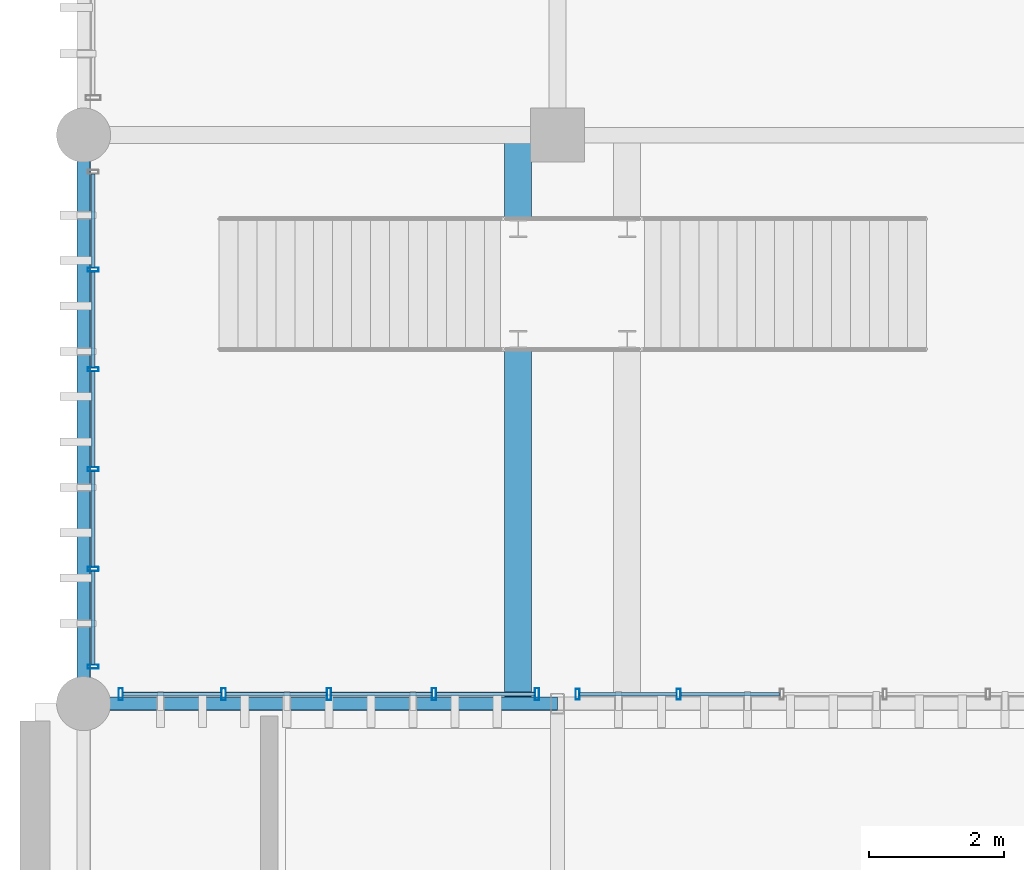
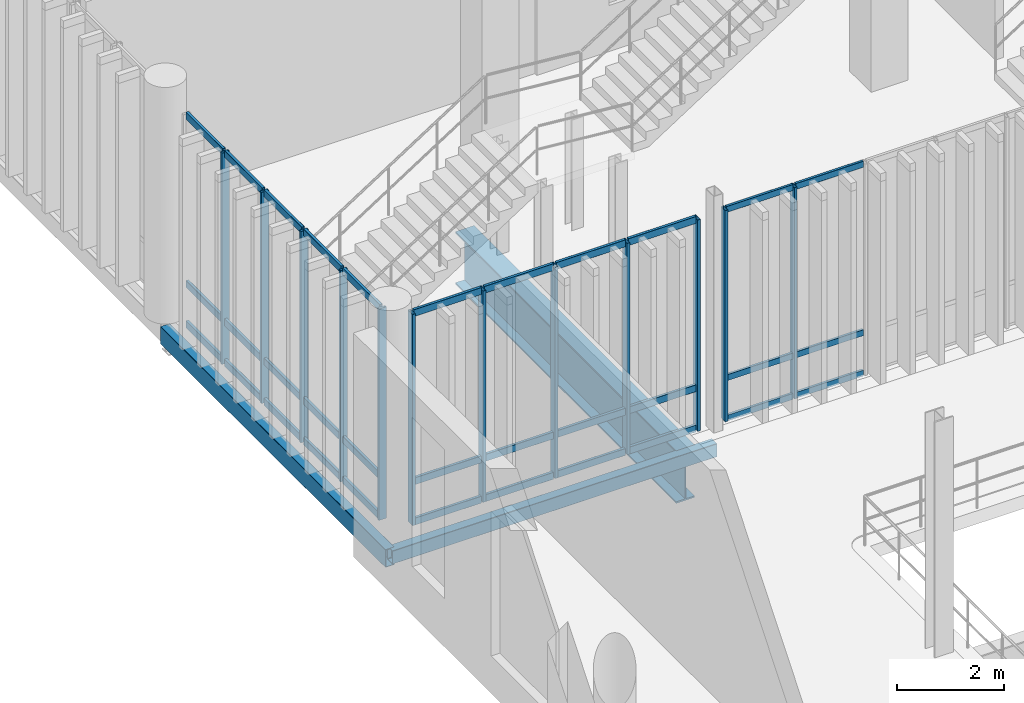
# One storey, part 15 of 128: 45 members, 3 beams, 3 elements without a shape of their own.
"""IFC4 building model written with IfcOpenShell, lengths in metres."""

from ifc_helpers import new_model, si_unit, direction, frame, origin_with_axes, origin_2d_with_axis, place, context, subcontext, project, spatial, hollow_rectangle, i_section, extrude, material, material_profile, profile_set, type_object, element, aggregate, save


model = new_model("IFC4")

# Units and contexts
model_context = context("Model", 3, precision=1e-05, world=origin_with_axes(), true_north=direction((0.0, 1.0)))
body_context = subcontext(model_context, "Body", "Model", "MODEL_VIEW")
ifc_project = project(units=[si_unit("LENGTHUNIT", "METRE"), si_unit("AREAUNIT", "SQUARE_METRE"), si_unit("VOLUMEUNIT", "CUBIC_METRE"), si_unit("PLANEANGLEUNIT", "RADIAN"), si_unit("MASSUNIT", "GRAM", prefix="KILO"), si_unit("THERMODYNAMICTEMPERATUREUNIT", "KELVIN")], contexts=[model_context])

# Site, building, storey
site_placement = place(None, origin_with_axes())
site = spatial("IfcSite", under=ifc_project, at=site_placement, CompositionType="ELEMENT")
building_placement = place(site_placement, origin_with_axes())
building = spatial("IfcBuilding", under=site, at=building_placement, Name="Montbau Bow Law Courts", CompositionType="ELEMENT")
storey_placement = place(building_placement, frame((0.0, 0.0, 5.4), z_axis=(0.0, 0.0, 1.0), x_axis=(1.0, 0.0, 0.0)))
storey = spatial("IfcBuildingStorey", under=building, at=storey_placement, Name="L01", CompositionType="ELEMENT", Elevation=5.4)

# Beams
ifc_material_1 = material(Name="Steel CSA G40.21 Grade 350WT (350 MPa)", Category="steel")
ifc_material_profile_1 = material_profile(ifc_material_1, hollow_rectangle(XDim=0.203, YDim=0.406, WallThickness=0.0127, InnerFilletRadius=0.0254, OuterFilletRadius=0.0127, at=origin_2d_with_axis()), Name="HSS406X203X13", Category="Main", Priority=0)
ifc_profile_set_1 = profile_set([ifc_material_profile_1], Name="Steel CSA G40.21 Grade 350WT (350 MPa)")
beam_type_1 = type_object("IfcBeamType", Name="B-SPN-01", PredefinedType="SPANDREL", material=ifc_profile_set_1)
beam_1_placement = place(None, frame((6.8, 30.6, 4.897), z_axis=(0.0, 1.0, 0.0), x_axis=(-1.0, 0.0, 0.0)))
element("IfcBeam", 1, at=beam_1_placement, inside=storey, type_object=beam_type_1, Name="SPN-L01-S0534:bm2_0537", PredefinedType="SPANDREL", context=body_context, shape_type="SweptSolid", body=[
    extrude(hollow_rectangle(XDim=0.203, YDim=0.406, WallThickness=0.0127, InnerFilletRadius=0.0254, OuterFilletRadius=0.0127, at=origin_2d_with_axis()), origin_with_axes(), (0.0, 0.0, 1.0), 8.4),
])
ifc_material_profile_2 = material_profile(ifc_material_1, hollow_rectangle(XDim=0.203, YDim=0.305, WallThickness=0.0127, InnerFilletRadius=0.0254, OuterFilletRadius=0.0127, at=origin_2d_with_axis()), Name="HSS305X203X13", Category="Main", Priority=0)
ifc_profile_set_2 = profile_set([ifc_material_profile_2], Name="Steel CSA G40.21 Grade 350WT (350 MPa)")
beam_type_2 = type_object("IfcBeamType", Name="B-SPN-02", PredefinedType="SPANDREL", material=ifc_profile_set_2)
beam_2_placement = place(None, frame((6.8, 30.6, 4.947), z_axis=(1.0, 0.0, 0.0), x_axis=(0.0, 1.0, 0.0)))
element("IfcBeam", 2, at=beam_2_placement, inside=storey, type_object=beam_type_2, Name="SPN-L01-S0500:bm2_0503", PredefinedType="SPANDREL", context=body_context, shape_type="SweptSolid", body=[
    extrude(hollow_rectangle(XDim=0.203, YDim=0.305, WallThickness=0.0127, InnerFilletRadius=0.0254, OuterFilletRadius=0.0127, at=origin_2d_with_axis()), origin_with_axes(), (0.0, 0.0, 1.0), 7.0),
])
ifc_material_2 = material(Name="Steel CSA G40.21 Grade 350W (350 MPa)", Category="steel")
ifc_material_profile_3 = material_profile(ifc_material_2, i_section(OverallWidth=0.4, OverallDepth=1.2, WebThickness=0.016, FlangeThickness=0.035, at=origin_2d_with_axis()), Name="WWF1200X302", Category="Main", Priority=0)
ifc_profile_set_3 = profile_set([ifc_material_profile_3], Name="Steel CSA G40.21 Grade 350W (350 MPa)")
beam_type_3 = type_object("IfcBeamType", Name="B-TRG-05", PredefinedType="USERDEFINED", material=ifc_profile_set_3)
beam_3_placement = place(None, frame((13.22, 30.675, 4.5), z_axis=(0.0, 1.0, 0.0), x_axis=(-1.0, 0.0, 0.0)))
element("IfcBeam", 3, at=beam_3_placement, inside=storey, type_object=beam_type_3, Name="TRG-L01-S1810:bm2_1813", ObjectType="GIRDER", PredefinedType="USERDEFINED", context=body_context, shape_type="SweptSolid", body=[
    extrude(i_section(OverallWidth=0.4, OverallDepth=1.2, WebThickness=0.016, FlangeThickness=0.035, at=origin_2d_with_axis()), origin_with_axes(), (0.0, 0.0, 1.0), 8.25),
])

# Curtain wall, members
ifc_material_3 = material(Name="Thermally Broken Extruded Aluminium AA 6063-T6", Category="aluminium")
curtain_wall_type = type_object("IfcCurtainWallType", Name="CW-TRC-01", PredefinedType="NOTDEFINED", material=ifc_material_3)
curtain_wall_1_placement = place(None, frame((7.315, 30.74, 5.4), z_axis=(0.0, 0.0, 1.0), x_axis=(1.0, 0.0, 0.0)))
curtain_wall_1 = element("IfcCurtainWall", 4, at=curtain_wall_1_placement, inside=storey, type_object=curtain_wall_type, Name="CW-L01-016:cw_0016", PredefinedType="NOTDEFINED")
ifc_material_profile_4 = material_profile(ifc_material_3, hollow_rectangle(XDim=0.065, YDim=0.18, WallThickness=0.005, InnerFilletRadius=0.01, OuterFilletRadius=0.005, at=origin_2d_with_axis()), Name="CWM-180X65", Category="Main", Priority=0)
ifc_profile_set_4 = profile_set([ifc_material_profile_4], Name="Thermally Broken Extruded Aluminium AA 6063-T6")
member_type_1 = type_object("IfcMemberType", Name="M-MUL-02", PredefinedType="MULLION", material=ifc_profile_set_4)
member_1_placement = place(None, frame((7.348, 30.74, 5.4), z_axis=(0.0, 0.0, 1.0), x_axis=(1.0, 0.0, 0.0)))
member_1 = element("IfcMember", 5, at=member_1_placement, type_object=member_type_1, Name="CW-L01-016-M01:cw_0016_M01", PredefinedType="MULLION", context=body_context, shape_type="SweptSolid", body=[
    extrude(hollow_rectangle(XDim=0.065, YDim=0.18, WallThickness=0.005, InnerFilletRadius=0.01, OuterFilletRadius=0.005, at=origin_2d_with_axis()), origin_with_axes(), (0.0, 0.0, 1.0), 4.82),
])
member_2_placement = place(None, frame((8.869, 30.74, 5.4), z_axis=(0.0, 0.0, 1.0), x_axis=(1.0, 0.0, 0.0)))
member_2 = element("IfcMember", 6, at=member_2_placement, type_object=member_type_1, Name="CW-L01-016-M02:cw_0016_M02", PredefinedType="MULLION", context=body_context, shape_type="SweptSolid", body=[
    extrude(hollow_rectangle(XDim=0.065, YDim=0.18, WallThickness=0.005, InnerFilletRadius=0.01, OuterFilletRadius=0.005, at=origin_2d_with_axis()), origin_with_axes(), (0.0, 0.0, 1.0), 4.82),
])
member_3_placement = place(None, frame((10.424, 30.74, 5.4), z_axis=(0.0, 0.0, 1.0), x_axis=(1.0, 0.0, 0.0)))
member_3 = element("IfcMember", 7, at=member_3_placement, type_object=member_type_1, Name="CW-L01-016-M03:cw_0016_M03", PredefinedType="MULLION", context=body_context, shape_type="SweptSolid", body=[
    extrude(hollow_rectangle(XDim=0.065, YDim=0.18, WallThickness=0.005, InnerFilletRadius=0.01, OuterFilletRadius=0.005, at=origin_2d_with_axis()), origin_with_axes(), (0.0, 0.0, 1.0), 4.82),
])
member_4_placement = place(None, frame((11.978, 30.74, 5.4), z_axis=(0.0, 0.0, 1.0), x_axis=(1.0, 0.0, 0.0)))
member_4 = element("IfcMember", 8, at=member_4_placement, type_object=member_type_1, Name="CW-L01-016-M04:cw_0016_M04", PredefinedType="MULLION", context=body_context, shape_type="SweptSolid", body=[
    extrude(hollow_rectangle(XDim=0.065, YDim=0.18, WallThickness=0.005, InnerFilletRadius=0.01, OuterFilletRadius=0.005, at=origin_2d_with_axis()), origin_with_axes(), (0.0, 0.0, 1.0), 4.82),
])
member_5_placement = place(None, frame((13.5, 30.74, 5.4), z_axis=(0.0, 0.0, 1.0), x_axis=(1.0, 0.0, 0.0)))
member_5 = element("IfcMember", 9, at=member_5_placement, type_object=member_type_1, Name="CW-L01-016-M05:cw_0016_M05", PredefinedType="MULLION", context=body_context, shape_type="SweptSolid", body=[
    extrude(hollow_rectangle(XDim=0.065, YDim=0.18, WallThickness=0.005, InnerFilletRadius=0.01, OuterFilletRadius=0.005, at=origin_2d_with_axis()), origin_with_axes(), (0.0, 0.0, 1.0), 4.82),
])

curtain_wall_2_placement = place(None, frame((14.068, 30.74, 5.4), z_axis=(0.0, 0.0, 1.0), x_axis=(1.0, 0.0, 0.0)))
curtain_wall_2 = element("IfcCurtainWall", 10, at=curtain_wall_2_placement, inside=storey, type_object=curtain_wall_type, Name="CW-L01-017:cw_0017", PredefinedType="NOTDEFINED")
ifc_material_profile_5 = material_profile(ifc_material_3, hollow_rectangle(XDim=0.06, YDim=0.16, WallThickness=0.004, InnerFilletRadius=0.008, OuterFilletRadius=0.004, at=origin_2d_with_axis()), Name="CWM-160X60", Category="Main", Priority=0)
ifc_profile_set_5 = profile_set([ifc_material_profile_5], Name="Thermally Broken Extruded Aluminium AA 6063-T6")
member_type_2 = type_object("IfcMemberType", Name="M-MUL-03", PredefinedType="MULLION", material=ifc_profile_set_5)
member_6_placement = place(None, frame((14.098, 30.74, 5.4), z_axis=(0.0, 0.0, 1.0), x_axis=(1.0, 0.0, 0.0)))
member_6 = element("IfcMember", 11, at=member_6_placement, type_object=member_type_2, Name="CW-L01-017-M01:cw_0017_M01", PredefinedType="MULLION", context=body_context, shape_type="SweptSolid", body=[
    extrude(hollow_rectangle(XDim=0.06, YDim=0.16, WallThickness=0.004, InnerFilletRadius=0.008, OuterFilletRadius=0.004, at=origin_2d_with_axis()), origin_with_axes(), (0.0, 0.0, 1.0), 4.82),
])
member_7_placement = place(None, frame((15.591, 30.74, 5.4), z_axis=(0.0, 0.0, 1.0), x_axis=(1.0, 0.0, 0.0)))
member_7 = element("IfcMember", 12, at=member_7_placement, type_object=member_type_2, Name="CW-L01-017-M02:cw_0017_M02", PredefinedType="MULLION", context=body_context, shape_type="SweptSolid", body=[
    extrude(hollow_rectangle(XDim=0.06, YDim=0.16, WallThickness=0.004, InnerFilletRadius=0.008, OuterFilletRadius=0.004, at=origin_2d_with_axis()), origin_with_axes(), (0.0, 0.0, 1.0), 4.82),
])

curtain_wall_3_placement = place(None, frame((6.94, 31.115, 5.4), z_axis=(0.0, 0.0, 1.0), x_axis=(1.0, 0.0, 0.0)))
curtain_wall_3 = element("IfcCurtainWall", 13, at=curtain_wall_3_placement, inside=storey, type_object=curtain_wall_type, Name="CW-L01-026:cw_0026", PredefinedType="NOTDEFINED")
member_8_placement = place(None, frame((6.94, 31.145, 5.4), z_axis=(0.0, 0.0, 1.0), x_axis=(0.0, 1.0, 0.0)))
member_8 = element("IfcMember", 14, at=member_8_placement, type_object=member_type_2, Name="CW-L01-026-M01:cw_0026_M01", PredefinedType="MULLION", context=body_context, shape_type="SweptSolid", body=[
    extrude(hollow_rectangle(XDim=0.06, YDim=0.16, WallThickness=0.004, InnerFilletRadius=0.008, OuterFilletRadius=0.004, at=origin_2d_with_axis()), origin_with_axes(), (0.0, 0.0, 1.0), 4.82),
])
member_9_placement = place(None, frame((6.94, 32.589, 5.4), z_axis=(0.0, 0.0, 1.0), x_axis=(0.0, 1.0, 0.0)))
member_9 = element("IfcMember", 15, at=member_9_placement, type_object=member_type_2, Name="CW-L01-026-M02:cw_0026_M02", PredefinedType="MULLION", context=body_context, shape_type="SweptSolid", body=[
    extrude(hollow_rectangle(XDim=0.06, YDim=0.16, WallThickness=0.004, InnerFilletRadius=0.008, OuterFilletRadius=0.004, at=origin_2d_with_axis()), origin_with_axes(), (0.0, 0.0, 1.0), 4.82),
])
member_10_placement = place(None, frame((6.94, 34.063, 5.4), z_axis=(0.0, 0.0, 1.0), x_axis=(0.0, 1.0, 0.0)))
member_10 = element("IfcMember", 16, at=member_10_placement, type_object=member_type_2, Name="CW-L01-026-M03:cw_0026_M03", PredefinedType="MULLION", context=body_context, shape_type="SweptSolid", body=[
    extrude(hollow_rectangle(XDim=0.06, YDim=0.16, WallThickness=0.004, InnerFilletRadius=0.008, OuterFilletRadius=0.004, at=origin_2d_with_axis()), origin_with_axes(), (0.0, 0.0, 1.0), 4.82),
])
member_11_placement = place(None, frame((6.94, 35.537, 5.4), z_axis=(0.0, 0.0, 1.0), x_axis=(0.0, 1.0, 0.0)))
member_11 = element("IfcMember", 17, at=member_11_placement, type_object=member_type_2, Name="CW-L01-026-M04:cw_0026_M04", PredefinedType="MULLION", context=body_context, shape_type="SweptSolid", body=[
    extrude(hollow_rectangle(XDim=0.06, YDim=0.16, WallThickness=0.004, InnerFilletRadius=0.008, OuterFilletRadius=0.004, at=origin_2d_with_axis()), origin_with_axes(), (0.0, 0.0, 1.0), 4.82),
])
member_12_placement = place(None, frame((6.94, 37.011, 5.4), z_axis=(0.0, 0.0, 1.0), x_axis=(0.0, 1.0, 0.0)))
member_12 = element("IfcMember", 18, at=member_12_placement, type_object=member_type_2, Name="CW-L01-026-M05:cw_0026_M05", PredefinedType="MULLION", context=body_context, shape_type="SweptSolid", body=[
    extrude(hollow_rectangle(XDim=0.06, YDim=0.16, WallThickness=0.004, InnerFilletRadius=0.008, OuterFilletRadius=0.004, at=origin_2d_with_axis()), origin_with_axes(), (0.0, 0.0, 1.0), 4.82),
])

# Member
ifc_material_profile_6 = material_profile(ifc_material_3, hollow_rectangle(XDim=0.06, YDim=0.16, WallThickness=0.004, InnerFilletRadius=0.008, OuterFilletRadius=0.004, at=origin_2d_with_axis()), Name="CWT-160X60", Category="Main", Priority=0)
ifc_profile_set_6 = profile_set([ifc_material_profile_6], Name="Thermally Broken Extruded Aluminium AA 6063-T6")
member_type_3 = type_object("IfcMemberType", Name="M-TRN-01", PredefinedType="USERDEFINED", material=ifc_profile_set_6)
member_13_placement = place(None, frame((7.383, 30.74, 5.43), z_axis=(1.0, 0.0, 0.0), x_axis=(0.0, 1.0, 0.0)))
member_13 = element("IfcMember", 19, at=member_13_placement, type_object=member_type_3, Name="CW-L01-016-T01-1:cw_0016_T01_1", ObjectType="TRANSOM", PredefinedType="USERDEFINED", context=body_context, shape_type="SweptSolid", body=[
    extrude(hollow_rectangle(XDim=0.06, YDim=0.16, WallThickness=0.004, InnerFilletRadius=0.008, OuterFilletRadius=0.004, at=origin_2d_with_axis()), origin_with_axes(), (0.0, 0.0, 1.0), 1.452),
])

member_14_placement = place(None, frame((7.383, 30.74, 6.35), z_axis=(1.0, 0.0, 0.0), x_axis=(0.0, 1.0, 0.0)))
member_14 = element("IfcMember", 20, at=member_14_placement, type_object=member_type_3, Name="CW-L01-016-T01-2:cw_0016_T01_2", ObjectType="TRANSOM", PredefinedType="USERDEFINED", context=body_context, shape_type="SweptSolid", body=[
    extrude(hollow_rectangle(XDim=0.06, YDim=0.16, WallThickness=0.004, InnerFilletRadius=0.008, OuterFilletRadius=0.004, at=origin_2d_with_axis()), origin_with_axes(), (0.0, 0.0, 1.0), 1.452),
])

member_15_placement = place(None, frame((7.383, 30.74, 10.19), z_axis=(1.0, 0.0, 0.0), x_axis=(0.0, 1.0, 0.0)))
member_15 = element("IfcMember", 21, at=member_15_placement, type_object=member_type_3, Name="CW-L01-016-T01-3:cw_0016_T01_3", ObjectType="TRANSOM", PredefinedType="USERDEFINED", context=body_context, shape_type="SweptSolid", body=[
    extrude(hollow_rectangle(XDim=0.06, YDim=0.16, WallThickness=0.004, InnerFilletRadius=0.008, OuterFilletRadius=0.004, at=origin_2d_with_axis()), origin_with_axes(), (0.0, 0.0, 1.0), 1.452),
])

member_16_placement = place(None, frame((8.904, 30.74, 5.43), z_axis=(1.0, 0.0, 0.0), x_axis=(0.0, 1.0, 0.0)))
member_16 = element("IfcMember", 22, at=member_16_placement, type_object=member_type_3, Name="CW-L01-016-T02-1:cw_0016_T02_1", ObjectType="TRANSOM", PredefinedType="USERDEFINED", context=body_context, shape_type="SweptSolid", body=[
    extrude(hollow_rectangle(XDim=0.06, YDim=0.16, WallThickness=0.004, InnerFilletRadius=0.008, OuterFilletRadius=0.004, at=origin_2d_with_axis()), origin_with_axes(), (0.0, 0.0, 1.0), 1.486),
])

member_17_placement = place(None, frame((8.904, 30.74, 6.35), z_axis=(1.0, 0.0, 0.0), x_axis=(0.0, 1.0, 0.0)))
member_17 = element("IfcMember", 23, at=member_17_placement, type_object=member_type_3, Name="CW-L01-016-T02-2:cw_0016_T02_2", ObjectType="TRANSOM", PredefinedType="USERDEFINED", context=body_context, shape_type="SweptSolid", body=[
    extrude(hollow_rectangle(XDim=0.06, YDim=0.16, WallThickness=0.004, InnerFilletRadius=0.008, OuterFilletRadius=0.004, at=origin_2d_with_axis()), origin_with_axes(), (0.0, 0.0, 1.0), 1.486),
])

member_18_placement = place(None, frame((8.904, 30.74, 10.19), z_axis=(1.0, 0.0, 0.0), x_axis=(0.0, 1.0, 0.0)))
member_18 = element("IfcMember", 24, at=member_18_placement, type_object=member_type_3, Name="CW-L01-016-T02-3:cw_0016_T02_3", ObjectType="TRANSOM", PredefinedType="USERDEFINED", context=body_context, shape_type="SweptSolid", body=[
    extrude(hollow_rectangle(XDim=0.06, YDim=0.16, WallThickness=0.004, InnerFilletRadius=0.008, OuterFilletRadius=0.004, at=origin_2d_with_axis()), origin_with_axes(), (0.0, 0.0, 1.0), 1.486),
])

member_19_placement = place(None, frame((10.458, 30.74, 5.43), z_axis=(1.0, 0.0, 0.0), x_axis=(0.0, 1.0, 0.0)))
member_19 = element("IfcMember", 25, at=member_19_placement, type_object=member_type_3, Name="CW-L01-016-T03-1:cw_0016_T03_1", ObjectType="TRANSOM", PredefinedType="USERDEFINED", context=body_context, shape_type="SweptSolid", body=[
    extrude(hollow_rectangle(XDim=0.06, YDim=0.16, WallThickness=0.004, InnerFilletRadius=0.008, OuterFilletRadius=0.004, at=origin_2d_with_axis()), origin_with_axes(), (0.0, 0.0, 1.0), 1.486),
])

member_20_placement = place(None, frame((10.458, 30.74, 6.35), z_axis=(1.0, 0.0, 0.0), x_axis=(0.0, 1.0, 0.0)))
member_20 = element("IfcMember", 26, at=member_20_placement, type_object=member_type_3, Name="CW-L01-016-T03-2:cw_0016_T03_2", ObjectType="TRANSOM", PredefinedType="USERDEFINED", context=body_context, shape_type="SweptSolid", body=[
    extrude(hollow_rectangle(XDim=0.06, YDim=0.16, WallThickness=0.004, InnerFilletRadius=0.008, OuterFilletRadius=0.004, at=origin_2d_with_axis()), origin_with_axes(), (0.0, 0.0, 1.0), 1.486),
])

member_21_placement = place(None, frame((10.458, 30.74, 10.19), z_axis=(1.0, 0.0, 0.0), x_axis=(0.0, 1.0, 0.0)))
member_21 = element("IfcMember", 27, at=member_21_placement, type_object=member_type_3, Name="CW-L01-016-T03-3:cw_0016_T03_3", ObjectType="TRANSOM", PredefinedType="USERDEFINED", context=body_context, shape_type="SweptSolid", body=[
    extrude(hollow_rectangle(XDim=0.06, YDim=0.16, WallThickness=0.004, InnerFilletRadius=0.008, OuterFilletRadius=0.004, at=origin_2d_with_axis()), origin_with_axes(), (0.0, 0.0, 1.0), 1.486),
])

member_22_placement = place(None, frame((12.012, 30.74, 5.43), z_axis=(1.0, 0.0, 0.0), x_axis=(0.0, 1.0, 0.0)))
member_22 = element("IfcMember", 28, at=member_22_placement, type_object=member_type_3, Name="CW-L01-016-T04-1:cw_0016_T04_1", ObjectType="TRANSOM", PredefinedType="USERDEFINED", context=body_context, shape_type="SweptSolid", body=[
    extrude(hollow_rectangle(XDim=0.06, YDim=0.16, WallThickness=0.004, InnerFilletRadius=0.008, OuterFilletRadius=0.004, at=origin_2d_with_axis()), origin_with_axes(), (0.0, 0.0, 1.0), 1.454),
])

member_23_placement = place(None, frame((12.012, 30.74, 6.35), z_axis=(1.0, 0.0, 0.0), x_axis=(0.0, 1.0, 0.0)))
member_23 = element("IfcMember", 29, at=member_23_placement, type_object=member_type_3, Name="CW-L01-016-T04-2:cw_0016_T04_2", ObjectType="TRANSOM", PredefinedType="USERDEFINED", context=body_context, shape_type="SweptSolid", body=[
    extrude(hollow_rectangle(XDim=0.06, YDim=0.16, WallThickness=0.004, InnerFilletRadius=0.008, OuterFilletRadius=0.004, at=origin_2d_with_axis()), origin_with_axes(), (0.0, 0.0, 1.0), 1.454),
])

member_24_placement = place(None, frame((12.012, 30.74, 10.19), z_axis=(1.0, 0.0, 0.0), x_axis=(0.0, 1.0, 0.0)))
member_24 = element("IfcMember", 30, at=member_24_placement, type_object=member_type_3, Name="CW-L01-016-T04-3:cw_0016_T04_3", ObjectType="TRANSOM", PredefinedType="USERDEFINED", context=body_context, shape_type="SweptSolid", body=[
    extrude(hollow_rectangle(XDim=0.06, YDim=0.16, WallThickness=0.004, InnerFilletRadius=0.008, OuterFilletRadius=0.004, at=origin_2d_with_axis()), origin_with_axes(), (0.0, 0.0, 1.0), 1.454),
])

aggregate(curtain_wall_1, [member_1, member_2, member_3, member_4, member_5, member_13, member_14, member_15, member_16, member_17, member_18, member_19, member_20, member_21, member_22, member_23, member_24])

member_25_placement = place(None, frame((6.94, 31.177, 5.43), z_axis=(0.0, 1.0, 0.0), x_axis=(-1.0, 0.0, 0.0)))
member_25 = element("IfcMember", 31, at=member_25_placement, type_object=member_type_3, Name="CW-L01-026-T01-1:cw_0026_T01_1", ObjectType="TRANSOM", PredefinedType="USERDEFINED", context=body_context, shape_type="SweptSolid", body=[
    extrude(hollow_rectangle(XDim=0.06, YDim=0.16, WallThickness=0.004, InnerFilletRadius=0.008, OuterFilletRadius=0.004, at=origin_2d_with_axis()), origin_with_axes(), (0.0, 0.0, 1.0), 1.38),
])

member_26_placement = place(None, frame((6.94, 31.177, 6.35), z_axis=(0.0, 1.0, 0.0), x_axis=(-1.0, 0.0, 0.0)))
member_26 = element("IfcMember", 32, at=member_26_placement, type_object=member_type_3, Name="CW-L01-026-T01-2:cw_0026_T01_2", ObjectType="TRANSOM", PredefinedType="USERDEFINED", context=body_context, shape_type="SweptSolid", body=[
    extrude(hollow_rectangle(XDim=0.06, YDim=0.16, WallThickness=0.004, InnerFilletRadius=0.008, OuterFilletRadius=0.004, at=origin_2d_with_axis()), origin_with_axes(), (0.0, 0.0, 1.0), 1.38),
])

member_27_placement = place(None, frame((6.94, 31.177, 10.19), z_axis=(0.0, 1.0, 0.0), x_axis=(-1.0, 0.0, 0.0)))
member_27 = element("IfcMember", 33, at=member_27_placement, type_object=member_type_3, Name="CW-L01-026-T01-3:cw_0026_T01_3", ObjectType="TRANSOM", PredefinedType="USERDEFINED", context=body_context, shape_type="SweptSolid", body=[
    extrude(hollow_rectangle(XDim=0.06, YDim=0.16, WallThickness=0.004, InnerFilletRadius=0.008, OuterFilletRadius=0.004, at=origin_2d_with_axis()), origin_with_axes(), (0.0, 0.0, 1.0), 1.38),
])

member_28_placement = place(None, frame((6.94, 32.621, 5.43), z_axis=(0.0, 1.0, 0.0), x_axis=(-1.0, 0.0, 0.0)))
member_28 = element("IfcMember", 34, at=member_28_placement, type_object=member_type_3, Name="CW-L01-026-T02-1:cw_0026_T02_1", ObjectType="TRANSOM", PredefinedType="USERDEFINED", context=body_context, shape_type="SweptSolid", body=[
    extrude(hollow_rectangle(XDim=0.06, YDim=0.16, WallThickness=0.004, InnerFilletRadius=0.008, OuterFilletRadius=0.004, at=origin_2d_with_axis()), origin_with_axes(), (0.0, 0.0, 1.0), 1.41),
])

member_29_placement = place(None, frame((6.94, 32.621, 6.35), z_axis=(0.0, 1.0, 0.0), x_axis=(-1.0, 0.0, 0.0)))
member_29 = element("IfcMember", 35, at=member_29_placement, type_object=member_type_3, Name="CW-L01-026-T02-2:cw_0026_T02_2", ObjectType="TRANSOM", PredefinedType="USERDEFINED", context=body_context, shape_type="SweptSolid", body=[
    extrude(hollow_rectangle(XDim=0.06, YDim=0.16, WallThickness=0.004, InnerFilletRadius=0.008, OuterFilletRadius=0.004, at=origin_2d_with_axis()), origin_with_axes(), (0.0, 0.0, 1.0), 1.41),
])

member_30_placement = place(None, frame((6.94, 32.621, 10.19), z_axis=(0.0, 1.0, 0.0), x_axis=(-1.0, 0.0, 0.0)))
member_30 = element("IfcMember", 36, at=member_30_placement, type_object=member_type_3, Name="CW-L01-026-T02-3:cw_0026_T02_3", ObjectType="TRANSOM", PredefinedType="USERDEFINED", context=body_context, shape_type="SweptSolid", body=[
    extrude(hollow_rectangle(XDim=0.06, YDim=0.16, WallThickness=0.004, InnerFilletRadius=0.008, OuterFilletRadius=0.004, at=origin_2d_with_axis()), origin_with_axes(), (0.0, 0.0, 1.0), 1.41),
])

member_31_placement = place(None, frame((6.94, 34.095, 5.43), z_axis=(0.0, 1.0, 0.0), x_axis=(-1.0, 0.0, 0.0)))
member_31 = element("IfcMember", 37, at=member_31_placement, type_object=member_type_3, Name="CW-L01-026-T03-1:cw_0026_T03_1", ObjectType="TRANSOM", PredefinedType="USERDEFINED", context=body_context, shape_type="SweptSolid", body=[
    extrude(hollow_rectangle(XDim=0.06, YDim=0.16, WallThickness=0.004, InnerFilletRadius=0.008, OuterFilletRadius=0.004, at=origin_2d_with_axis()), origin_with_axes(), (0.0, 0.0, 1.0), 1.41),
])

member_32_placement = place(None, frame((6.94, 34.095, 6.35), z_axis=(0.0, 1.0, 0.0), x_axis=(-1.0, 0.0, 0.0)))
member_32 = element("IfcMember", 38, at=member_32_placement, type_object=member_type_3, Name="CW-L01-026-T03-2:cw_0026_T03_2", ObjectType="TRANSOM", PredefinedType="USERDEFINED", context=body_context, shape_type="SweptSolid", body=[
    extrude(hollow_rectangle(XDim=0.06, YDim=0.16, WallThickness=0.004, InnerFilletRadius=0.008, OuterFilletRadius=0.004, at=origin_2d_with_axis()), origin_with_axes(), (0.0, 0.0, 1.0), 1.41),
])

member_33_placement = place(None, frame((6.94, 34.095, 10.19), z_axis=(0.0, 1.0, 0.0), x_axis=(-1.0, 0.0, 0.0)))
member_33 = element("IfcMember", 39, at=member_33_placement, type_object=member_type_3, Name="CW-L01-026-T03-3:cw_0026_T03_3", ObjectType="TRANSOM", PredefinedType="USERDEFINED", context=body_context, shape_type="SweptSolid", body=[
    extrude(hollow_rectangle(XDim=0.06, YDim=0.16, WallThickness=0.004, InnerFilletRadius=0.008, OuterFilletRadius=0.004, at=origin_2d_with_axis()), origin_with_axes(), (0.0, 0.0, 1.0), 1.41),
])

member_34_placement = place(None, frame((6.94, 35.569, 5.43), z_axis=(0.0, 1.0, 0.0), x_axis=(-1.0, 0.0, 0.0)))
member_34 = element("IfcMember", 40, at=member_34_placement, type_object=member_type_3, Name="CW-L01-026-T04-1:cw_0026_T04_1", ObjectType="TRANSOM", PredefinedType="USERDEFINED", context=body_context, shape_type="SweptSolid", body=[
    extrude(hollow_rectangle(XDim=0.06, YDim=0.16, WallThickness=0.004, InnerFilletRadius=0.008, OuterFilletRadius=0.004, at=origin_2d_with_axis()), origin_with_axes(), (0.0, 0.0, 1.0), 1.41),
])

member_35_placement = place(None, frame((6.94, 35.569, 6.35), z_axis=(0.0, 1.0, 0.0), x_axis=(-1.0, 0.0, 0.0)))
member_35 = element("IfcMember", 41, at=member_35_placement, type_object=member_type_3, Name="CW-L01-026-T04-2:cw_0026_T04_2", ObjectType="TRANSOM", PredefinedType="USERDEFINED", context=body_context, shape_type="SweptSolid", body=[
    extrude(hollow_rectangle(XDim=0.06, YDim=0.16, WallThickness=0.004, InnerFilletRadius=0.008, OuterFilletRadius=0.004, at=origin_2d_with_axis()), origin_with_axes(), (0.0, 0.0, 1.0), 1.41),
])

member_36_placement = place(None, frame((6.94, 35.569, 10.19), z_axis=(0.0, 1.0, 0.0), x_axis=(-1.0, 0.0, 0.0)))
member_36 = element("IfcMember", 42, at=member_36_placement, type_object=member_type_3, Name="CW-L01-026-T04-3:cw_0026_T04_3", ObjectType="TRANSOM", PredefinedType="USERDEFINED", context=body_context, shape_type="SweptSolid", body=[
    extrude(hollow_rectangle(XDim=0.06, YDim=0.16, WallThickness=0.004, InnerFilletRadius=0.008, OuterFilletRadius=0.004, at=origin_2d_with_axis()), origin_with_axes(), (0.0, 0.0, 1.0), 1.41),
])

member_37_placement = place(None, frame((6.94, 37.043, 5.43), z_axis=(0.0, 1.0, 0.0), x_axis=(-1.0, 0.0, 0.0)))
member_37 = element("IfcMember", 43, at=member_37_placement, type_object=member_type_3, Name="CW-L01-026-T05-1:cw_0026_T05_1", ObjectType="TRANSOM", PredefinedType="USERDEFINED", context=body_context, shape_type="SweptSolid", body=[
    extrude(hollow_rectangle(XDim=0.06, YDim=0.16, WallThickness=0.004, InnerFilletRadius=0.008, OuterFilletRadius=0.004, at=origin_2d_with_axis()), origin_with_axes(), (0.0, 0.0, 1.0), 1.38),
])

member_38_placement = place(None, frame((6.94, 37.043, 6.35), z_axis=(0.0, 1.0, 0.0), x_axis=(-1.0, 0.0, 0.0)))
member_38 = element("IfcMember", 44, at=member_38_placement, type_object=member_type_3, Name="CW-L01-026-T05-2:cw_0026_T05_2", ObjectType="TRANSOM", PredefinedType="USERDEFINED", context=body_context, shape_type="SweptSolid", body=[
    extrude(hollow_rectangle(XDim=0.06, YDim=0.16, WallThickness=0.004, InnerFilletRadius=0.008, OuterFilletRadius=0.004, at=origin_2d_with_axis()), origin_with_axes(), (0.0, 0.0, 1.0), 1.38),
])

member_39_placement = place(None, frame((6.94, 37.043, 10.19), z_axis=(0.0, 1.0, 0.0), x_axis=(-1.0, 0.0, 0.0)))
member_39 = element("IfcMember", 45, at=member_39_placement, type_object=member_type_3, Name="CW-L01-026-T05-3:cw_0026_T05_3", ObjectType="TRANSOM", PredefinedType="USERDEFINED", context=body_context, shape_type="SweptSolid", body=[
    extrude(hollow_rectangle(XDim=0.06, YDim=0.16, WallThickness=0.004, InnerFilletRadius=0.008, OuterFilletRadius=0.004, at=origin_2d_with_axis()), origin_with_axes(), (0.0, 0.0, 1.0), 1.38),
])

aggregate(curtain_wall_3, [member_8, member_9, member_10, member_11, member_12, member_25, member_26, member_27, member_28, member_29, member_30, member_31, member_32, member_33, member_34, member_35, member_36, member_37, member_38, member_39])

ifc_material_profile_7 = material_profile(ifc_material_3, hollow_rectangle(XDim=0.055, YDim=0.14, WallThickness=0.004, InnerFilletRadius=0.008, OuterFilletRadius=0.004, at=origin_2d_with_axis()), Name="CWT-140X55", Category="Main", Priority=0)
ifc_profile_set_7 = profile_set([ifc_material_profile_7], Name="Thermally Broken Extruded Aluminium AA 6063-T6")
member_type_4 = type_object("IfcMemberType", Name="M-TRN-02", PredefinedType="USERDEFINED", material=ifc_profile_set_7)
member_40_placement = place(None, frame((14.13, 30.74, 5.428), z_axis=(1.0, 0.0, 0.0), x_axis=(0.0, 1.0, 0.0)))
member_40 = element("IfcMember", 46, at=member_40_placement, type_object=member_type_4, Name="CW-L01-017-T01-1:cw_0017_T01_1", ObjectType="TRANSOM", PredefinedType="USERDEFINED", context=body_context, shape_type="SweptSolid", body=[
    extrude(hollow_rectangle(XDim=0.055, YDim=0.14, WallThickness=0.004, InnerFilletRadius=0.008, OuterFilletRadius=0.004, at=origin_2d_with_axis()), origin_with_axes(), (0.0, 0.0, 1.0), 1.429),
])

member_41_placement = place(None, frame((14.13, 30.74, 6.35), z_axis=(1.0, 0.0, 0.0), x_axis=(0.0, 1.0, 0.0)))
member_41 = element("IfcMember", 47, at=member_41_placement, type_object=member_type_4, Name="CW-L01-017-T01-2:cw_0017_T01_2", ObjectType="TRANSOM", PredefinedType="USERDEFINED", context=body_context, shape_type="SweptSolid", body=[
    extrude(hollow_rectangle(XDim=0.055, YDim=0.14, WallThickness=0.004, InnerFilletRadius=0.008, OuterFilletRadius=0.004, at=origin_2d_with_axis()), origin_with_axes(), (0.0, 0.0, 1.0), 1.429),
])

member_42_placement = place(None, frame((14.13, 30.74, 10.193), z_axis=(1.0, 0.0, 0.0), x_axis=(0.0, 1.0, 0.0)))
member_42 = element("IfcMember", 48, at=member_42_placement, type_object=member_type_4, Name="CW-L01-017-T01-3:cw_0017_T01_3", ObjectType="TRANSOM", PredefinedType="USERDEFINED", context=body_context, shape_type="SweptSolid", body=[
    extrude(hollow_rectangle(XDim=0.055, YDim=0.14, WallThickness=0.004, InnerFilletRadius=0.008, OuterFilletRadius=0.004, at=origin_2d_with_axis()), origin_with_axes(), (0.0, 0.0, 1.0), 1.429),
])

member_43_placement = place(None, frame((15.623, 30.74, 5.428), z_axis=(1.0, 0.0, 0.0), x_axis=(0.0, 1.0, 0.0)))
member_43 = element("IfcMember", 49, at=member_43_placement, type_object=member_type_4, Name="CW-L01-017-T02-1:cw_0017_T02_1", ObjectType="TRANSOM", PredefinedType="USERDEFINED", context=body_context, shape_type="SweptSolid", body=[
    extrude(hollow_rectangle(XDim=0.055, YDim=0.14, WallThickness=0.004, InnerFilletRadius=0.008, OuterFilletRadius=0.004, at=origin_2d_with_axis()), origin_with_axes(), (0.0, 0.0, 1.0), 1.46),
])

member_44_placement = place(None, frame((15.623, 30.74, 6.35), z_axis=(1.0, 0.0, 0.0), x_axis=(0.0, 1.0, 0.0)))
member_44 = element("IfcMember", 50, at=member_44_placement, type_object=member_type_4, Name="CW-L01-017-T02-2:cw_0017_T02_2", ObjectType="TRANSOM", PredefinedType="USERDEFINED", context=body_context, shape_type="SweptSolid", body=[
    extrude(hollow_rectangle(XDim=0.055, YDim=0.14, WallThickness=0.004, InnerFilletRadius=0.008, OuterFilletRadius=0.004, at=origin_2d_with_axis()), origin_with_axes(), (0.0, 0.0, 1.0), 1.46),
])

member_45_placement = place(None, frame((15.623, 30.74, 10.193), z_axis=(1.0, 0.0, 0.0), x_axis=(0.0, 1.0, 0.0)))
member_45 = element("IfcMember", 51, at=member_45_placement, type_object=member_type_4, Name="CW-L01-017-T02-3:cw_0017_T02_3", ObjectType="TRANSOM", PredefinedType="USERDEFINED", context=body_context, shape_type="SweptSolid", body=[
    extrude(hollow_rectangle(XDim=0.055, YDim=0.14, WallThickness=0.004, InnerFilletRadius=0.008, OuterFilletRadius=0.004, at=origin_2d_with_axis()), origin_with_axes(), (0.0, 0.0, 1.0), 1.46),
])

aggregate(curtain_wall_2, [member_6, member_7, member_40, member_41, member_42, member_43, member_44, member_45])

save(model, "model.ifc")
